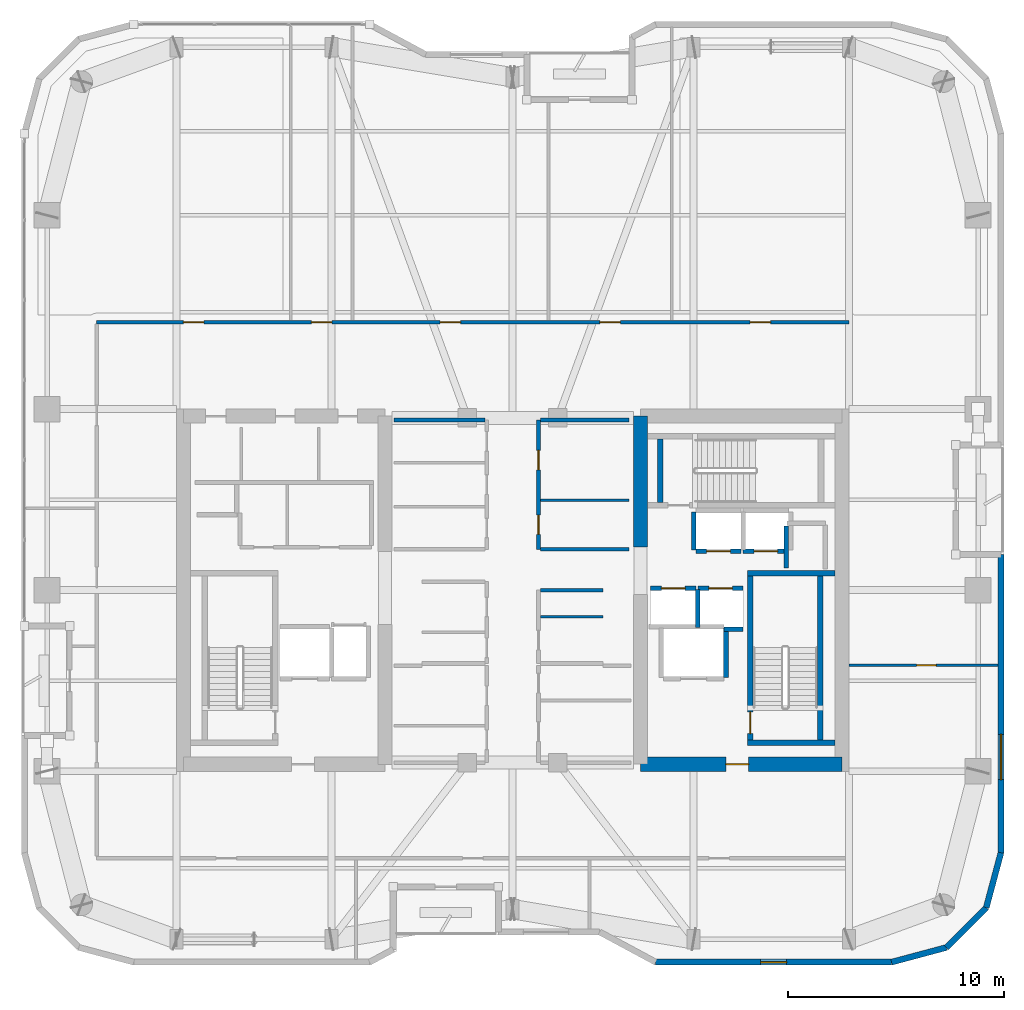
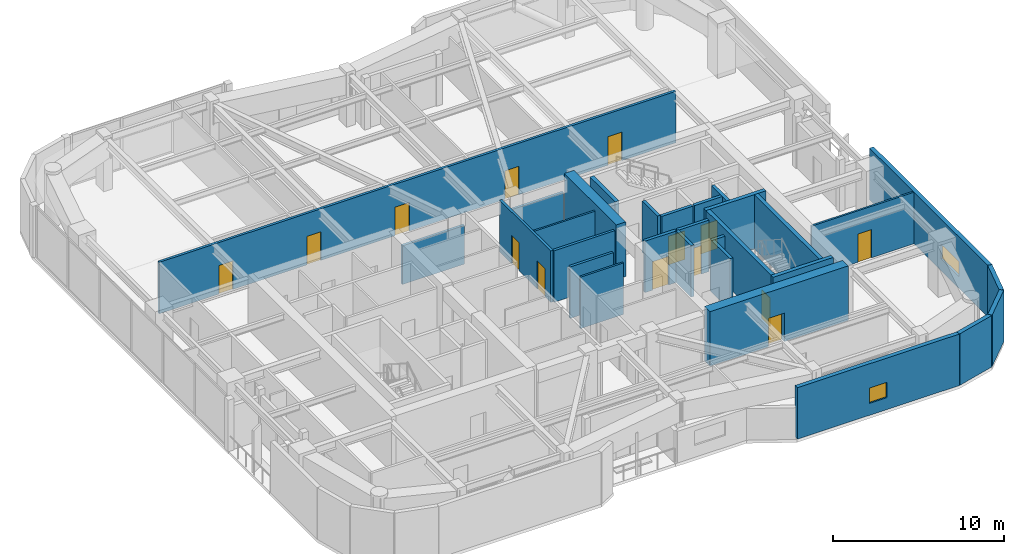
# One storey, part 17 of 21: 30 walls, 14 doors, 2 windows, 16 openings.
"""IFC4 building model written with IfcOpenShell, lengths in metres."""

from ifc_helpers import new_model, si_unit, direction, frame, frame_2d, origin, place, context, subcontext, project, spatial, rectangle, extrude, material, layer, layer_set, type_object, element, fill, save


model = new_model("IFC4")

# Units and contexts
model_context = context("Model", 3, precision=1e-05, world=origin(), true_north=direction((0.0, 1.0)))
body_context = subcontext(model_context, "Body", "Model", "MODEL_VIEW")
ifc_project = project(units=[si_unit("LENGTHUNIT", "METRE"), si_unit("AREAUNIT", "SQUARE_METRE"), si_unit("VOLUMEUNIT", "CUBIC_METRE"), si_unit("PLANEANGLEUNIT", "RADIAN"), si_unit("MASSUNIT", "GRAM", prefix="KILO")], contexts=[model_context])

# Site, building, storey
site_placement = place(None, origin())
site = spatial("IfcSite", under=ifc_project, at=site_placement, CompositionType="ELEMENT")
building_placement = place(site_placement, origin())
building = spatial("IfcBuilding", under=site, at=building_placement, Name="Kiyonajd Concourse Tower", CompositionType="ELEMENT")
storey_placement = place(building_placement, frame((0.0, 0.0, 223.199951171875)))
storey = spatial("IfcBuildingStorey", under=building, at=storey_placement, Name="L56", CompositionType="ELEMENT", Elevation=223.199951171875)

# Wall
ifc_material_1 = material(Name="Concrete C60/75", Category="concrete")
ifc_layer_1 = layer(ifc_material_1, 0.64990234375)
ifc_layer_set_1 = layer_set([ifc_layer_1], Name="Concrete C60/75")
wall_type_1 = type_object("IfcWallType", Name="WL-CORE-650", PredefinedType="SHEAR", material=ifc_layer_set_1)
wall_1_placement = place(storey_placement, frame((53.925048828125, 38.0, 0.0), z_axis=(0.0, 0.0, 1.0), x_axis=(0.0, 1.0, 0.0)))
element("IfcWall", 1, at=wall_1_placement, inside=storey, type_object=wall_type_1, Name="L56 East Core Inner North Shear Wall", PredefinedType="SHEAR", context=body_context, shape_type="SweptSolid", body=[
    extrude(rectangle(XDim=6.074951171875, YDim=0.64990234375, at=frame_2d((3.03759765625, 0.0))), origin(), (0.0, 0.0, 1.0), 3.900146484375),
])

# Wall, opening, door
wall_2_placement = place(storey_placement, frame((53.925048828125, 27.925048828125, 0.0), z_axis=(0.0, 0.0, 1.0), x_axis=(1.0, 0.0, 0.0)))
wall_2 = element("IfcWall", 2, at=wall_2_placement, inside=storey, type_object=wall_type_1, Name="L56 East Core South Shear Wall", PredefinedType="SHEAR", context=body_context, shape_type="SweptSolid", body=[
    extrude(rectangle(XDim=9.349853515625, YDim=0.64990234375, at=frame_2d((4.6748046875, 0.0))), origin(), (0.0, 0.0, 1.0), 3.900146484375),
])
opening_1_placement = place(wall_2_placement, frame((3.97509765625, 0.0, 0.0)))
opening_1 = element("IfcOpeningElement", 3, at=opening_1_placement, cuts=wall_2, Name="Opening DF5", PredefinedType="OPENING", context=body_context, shape_type="SweptSolid", body=[
    extrude(rectangle(XDim=1.050048828125, YDim=2.0400390625, at=frame_2d((0.52490234375, 1.02001953125))), frame((0.0, 0.3349609375, 0.0), z_axis=(0.0, -1.0, 0.0), x_axis=(1.0, 0.0, 0.0)), (0.0, 0.0, 1.0), 0.669921875),
])
ifc_material_2 = material(Name="Brushed Stainless Steel Cab Assembly", Category="steel")
door_type_1 = type_object("IfcDoorType", Name="DR-FD45-1050", OperationType="NOTDEFINED", PredefinedType="DOOR", material=ifc_material_2)
door_1_placement = place(opening_1_placement, origin())
door_1 = element("IfcDoor", 4, at=door_1_placement, inside=storey, type_object=door_type_1, Name="L56 Firefighting Lift Lobby E Smoke Door", OperationType="SINGLE_SWING_RIGHT", OverallHeight=2.0400390625, OverallWidth=1.050048828125, PredefinedType="DOOR", context=body_context, shape_type="SweptSolid", body=[
    extrude(rectangle(XDim=1.050048828125, YDim=2.0400390625, at=frame_2d((0.52490234375, 1.02001953125))), frame((0.0, 0.02490234375, 0.0), z_axis=(0.0, -1.0, 0.0), x_axis=(1.0, 0.0, 0.0)), (0.0, 0.0, 1.0), 0.050048828125),
])
fill(opening_1, door_1)

# Wall, opening, window
ifc_material_3 = material(Name="Precast concrete C50/60", Category="concrete")
ifc_layer_2 = layer(ifc_material_3, 0.280029296875)
ifc_layer_set_2 = layer_set([ifc_layer_2], Name="Precast concrete C50/60")
wall_type_2 = type_object("IfcWallType", Name="WL-EXT-280", PredefinedType="SOLIDWALL", material=ifc_layer_set_2)
wall_3_placement = place(storey_placement, frame((70.659912109375, 37.659912109375, 0.0), z_axis=(0.0, 0.0, 1.0), x_axis=(0.0, -1.0, 0.0)))
wall_3 = element("IfcWall", 5, at=wall_3_placement, inside=storey, type_object=wall_type_2, Name="L56 Exterior Concrete Frame Wall 24", PredefinedType="SOLIDWALL", context=body_context, shape_type="SweptSolid", body=[
    extrude(rectangle(XDim=13.841552734375, YDim=0.280029296875, at=frame_2d((6.9208984375, 0.0))), origin(), (0.0, 0.0, 1.0), 3.679931640625),
])
opening_2_placement = place(wall_3_placement, frame((8.345947265625, 0.0, 0.85009765625)))
opening_2 = element("IfcOpeningElement", 6, at=opening_2_placement, cuts=wall_3, Name="Opening WN5", PredefinedType="OPENING", context=body_context, shape_type="SweptSolid", body=[
    extrude(rectangle(XDim=2.10009765625, YDim=1.050048828125, at=frame_2d((1.050048828125, 0.52490234375))), frame((0.0, 0.14990234375, 0.0), z_axis=(0.0, -1.0, 0.0), x_axis=(1.0, 0.0, 0.0)), (0.0, 0.0, 1.0), 0.300048828125),
])
ifc_material_4 = material(Name="Double Low-E Insulated Glass", Category="glass")
window_type_1 = type_object("IfcWindowType", Name="WN-VIS-2100x1050", PartitioningType="SINGLE_PANEL", PredefinedType="WINDOW", material=ifc_material_4)
window_1_placement = place(opening_2_placement, origin())
window_1 = element("IfcWindow", 7, at=window_1_placement, inside=storey, type_object=window_type_1, Name="L56 Modular Facade Vision Window 24", OverallHeight=1.050048828125, OverallWidth=2.10009765625, PartitioningType="SINGLE_PANEL", PredefinedType="WINDOW", context=body_context, shape_type="SweptSolid", body=[
    extrude(rectangle(XDim=2.10009765625, YDim=1.050048828125, at=frame_2d((1.050048828125, 0.52490234375))), frame((0.0, 0.030029296875, 0.0), z_axis=(0.0, -1.0, 0.0), x_axis=(1.0, 0.0, 0.0)), (0.0, 0.0, 1.0), 0.06005859375),
])
fill(opening_2, window_1)

# Walls
wall_4_placement = place(storey_placement, frame((70.659912109375, 23.818359375, 0.0), z_axis=(0.0, 0.0, 1.0), x_axis=(-0.2588904131, -0.965906700466, 0.0)))
element("IfcWall", 8, at=wall_4_placement, inside=storey, type_object=wall_type_2, Name="L56 Exterior Concrete Frame Wall 25", PredefinedType="SOLIDWALL", context=body_context, shape_type="SweptSolid", body=[
    extrude(rectangle(XDim=2.6357421875, YDim=0.280029296875, at=frame_2d((1.31787109375, 0.0))), origin(), (0.0, 0.0, 1.0), 3.679931640625),
])
wall_5_placement = place(storey_placement, frame((69.9775390625, 21.2724609375, 0.0), z_axis=(0.0, 0.0, 1.0), x_axis=(-0.707153437963, -0.707060121331, 0.0)))
element("IfcWall", 9, at=wall_5_placement, inside=storey, type_object=wall_type_2, Name="L56 Exterior Concrete Frame Wall 26", PredefinedType="SOLIDWALL", context=body_context, shape_type="SweptSolid", body=[
    extrude(rectangle(XDim=2.6162109375, YDim=0.280029296875, at=frame_2d((1.30810546875, 0.0))), origin(), (0.0, 0.0, 1.0), 3.679931640625),
])
wall_6_placement = place(storey_placement, frame((68.12744140625, 19.422607421875, 0.0), z_axis=(0.0, 0.0, 1.0), x_axis=(-0.965883534663, -0.258976828051, 0.0)))
element("IfcWall", 10, at=wall_6_placement, inside=storey, type_object=wall_type_2, Name="L56 Exterior Concrete Frame Wall 27", PredefinedType="SOLIDWALL", context=body_context, shape_type="SweptSolid", body=[
    extrude(rectangle(XDim=2.6357421875, YDim=0.280029296875, at=frame_2d((1.31787109375, 0.0))), origin(), (0.0, 0.0, 1.0), 3.679931640625),
])

# Wall, opening, window
wall_7_placement = place(storey_placement, frame((65.58154296875, 18.739990234375, 0.0), z_axis=(0.0, 0.0, 1.0), x_axis=(-1.0, 0.0, 0.0)))
wall_7 = element("IfcWall", 11, at=wall_7_placement, inside=storey, type_object=wall_type_2, Name="L56 Exterior Concrete Frame Wall 28", PredefinedType="SOLIDWALL", context=body_context, shape_type="SweptSolid", body=[
    extrude(rectangle(XDim=10.9462890625, YDim=0.280029296875, at=frame_2d((5.47314453125, 0.0))), origin(), (0.0, 0.0, 1.0), 3.679931640625),
])
opening_3_placement = place(wall_7_placement, frame((4.873046875, 0.0, 0.85009765625)))
opening_3 = element("IfcOpeningElement", 12, at=opening_3_placement, cuts=wall_7, Name="Opening WN3", PredefinedType="OPENING", context=body_context, shape_type="SweptSolid", body=[
    extrude(rectangle(XDim=1.199951171875, YDim=1.10009765625, at=frame_2d((0.60009765625, 0.550048828125))), frame((0.0, 0.14990234375, 0.0), z_axis=(0.0, -1.0, 0.0), x_axis=(1.0, 0.0, 0.0)), (0.0, 0.0, 1.0), 0.300048828125),
])
window_type_2 = type_object("IfcWindowType", Name="WN-VIS-1200x1100", PartitioningType="SINGLE_PANEL", PredefinedType="WINDOW", material=ifc_material_4)
window_2_placement = place(opening_3_placement, origin())
window_2 = element("IfcWindow", 13, at=window_2_placement, inside=storey, type_object=window_type_2, Name="L56 Modular Facade Vision Window 28", OverallHeight=1.10009765625, OverallWidth=1.199951171875, PartitioningType="SINGLE_PANEL", PredefinedType="WINDOW", context=body_context, shape_type="SweptSolid", body=[
    extrude(rectangle(XDim=1.199951171875, YDim=1.10009765625, at=frame_2d((0.60009765625, 0.550048828125))), frame((0.0, 0.030029296875, 0.0), z_axis=(0.0, -1.0, 0.0), x_axis=(1.0, 0.0, 0.0)), (0.0, 0.0, 1.0), 0.06005859375),
])
fill(opening_3, window_2)

# Walls
ifc_material_5 = material(Name="Gypsum Board on Cold-Formed Steel Stud", Category="steel")
ifc_layer_3 = layer(ifc_material_5, 0.125)
ifc_layer_set_3 = layer_set([ifc_layer_3], Name="Gypsum Board on Cold-Formed Steel Stud")
wall_type_3 = type_object("IfcWallType", Name="WL-PART-125", PredefinedType="PARTITIONING", material=ifc_layer_set_3)
wall_8_placement = place(storey_placement, frame((49.287109375, 34.77587890625, 0.0), z_axis=(0.0, 0.0, 1.0), x_axis=(1.0, 0.0, 0.0)))
element("IfcWall", 14, at=wall_8_placement, inside=storey, type_object=wall_type_3, Name="L56 Interior Partition Wall", PredefinedType="PARTITIONING", context=body_context, shape_type="SweptSolid", body=[
    extrude(rectangle(XDim=2.912841796875, YDim=0.125, at=frame_2d((1.45654296875, 0.0))), origin(), (0.0, 0.0, 1.0), 3.679931640625),
])
wall_9_placement = place(storey_placement, frame((49.287109375, 40.179931640625, 0.0), z_axis=(0.0, 0.0, 1.0), x_axis=(1.0, 0.0, 0.0)))
element("IfcWall", 15, at=wall_9_placement, inside=storey, type_object=wall_type_3, Name="L56 Interior Partition Wall", PredefinedType="PARTITIONING", context=body_context, shape_type="SweptSolid", body=[
    extrude(rectangle(XDim=4.11279296875, YDim=0.125, at=frame_2d((2.056396484375, 0.0))), origin(), (0.0, 0.0, 1.0), 3.679931640625),
])

# Wall, opening, door
wall_10_placement = place(storey_placement, frame((63.60009765625, 32.52001953125, 0.0), z_axis=(0.0, 0.0, 1.0), x_axis=(1.0, 0.0, 0.0)))
wall_10 = element("IfcWall", 16, at=wall_10_placement, inside=storey, type_object=wall_type_3, Name="L56 Interior Partition Wall", PredefinedType="PARTITIONING", context=body_context, shape_type="SweptSolid", body=[
    extrude(rectangle(XDim=6.9248046875, YDim=0.125, at=frame_2d((3.46240234375, 0.0))), origin(), (0.0, 0.0, 1.0), 3.679931640625),
])
opening_4_placement = place(wall_10_placement, frame((3.14990234375, 0.0, 0.0)))
opening_4 = element("IfcOpeningElement", 17, at=opening_4_placement, cuts=wall_10, Name="Opening DI2", PredefinedType="OPENING", context=body_context, shape_type="SweptSolid", body=[
    extrude(rectangle(XDim=0.89990234375, YDim=2.02001953125, at=frame_2d((0.449951171875, 1.010009765625))), frame((0.0, 0.072509765625, 0.0), z_axis=(0.0, -1.0, 0.0), x_axis=(1.0, 0.0, 0.0)), (0.0, 0.0, 1.0), 0.14501953125),
])
ifc_material_6 = material(Name="Natural Oak Acoustic Timber Veneer", Category="wood")
door_type_2 = type_object("IfcDoorType", Name="DR-INT-900", OperationType="NOTDEFINED", PredefinedType="DOOR", material=ifc_material_6)
door_2_placement = place(opening_4_placement, origin())
door_2 = element("IfcDoor", 18, at=door_2_placement, inside=storey, type_object=door_type_2, Name="L56 Interior Door", OperationType="SINGLE_SWING_LEFT", OverallHeight=2.02001953125, OverallWidth=0.89990234375, PredefinedType="DOOR", context=body_context, shape_type="SweptSolid", body=[
    extrude(rectangle(XDim=0.89990234375, YDim=2.02001953125, at=frame_2d((0.449951171875, 1.010009765625))), frame((0.0, 0.02490234375, 0.0), z_axis=(0.0, -1.0, 0.0), x_axis=(1.0, 0.0, 0.0)), (0.0, 0.0, 1.0), 0.050048828125),
])
fill(opening_4, door_2)

# Walls
ifc_layer_4 = layer(ifc_material_5, 0.2099609375)
ifc_layer_set_4 = layer_set([ifc_layer_4], Name="Gypsum Board on Cold-Formed Steel Stud")
wall_type_4 = type_object("IfcWallType", Name="WL-SHAFT-210", PredefinedType="PARTITIONING", material=ifc_layer_set_4)
wall_11_placement = place(storey_placement, frame((60.699951171875, 37.02001953125, 0.0), z_axis=(0.0, 0.0, 1.0), x_axis=(0.0, 1.0, 0.0)))
element("IfcWall", 19, at=wall_11_placement, inside=storey, type_object=wall_type_4, Name="L56 Shaft Enclosure Wall", PredefinedType="PARTITIONING", context=body_context, shape_type="SweptSolid", body=[
    extrude(rectangle(XDim=1.9599609375, YDim=0.2099609375, at=frame_2d((0.97998046875, 0.0))), origin(), (0.0, 0.0, 1.0), 3.679931640625),
])
wall_12_placement = place(storey_placement, frame((57.89990234375, 31.9599609375, 0.0), z_axis=(0.0, 0.0, 1.0), x_axis=(0.0, 1.0, 0.0)))
element("IfcWall", 20, at=wall_12_placement, inside=storey, type_object=wall_type_4, Name="L56 Shaft Enclosure Wall", PredefinedType="PARTITIONING", context=body_context, shape_type="SweptSolid", body=[
    extrude(rectangle(XDim=2.280029296875, YDim=0.2099609375, at=frame_2d((1.14013671875, 0.0))), origin(), (0.0, 0.0, 1.0), 3.679931640625),
])

# Wall, opening, door
wall_13_placement = place(storey_placement, frame((54.39990234375, 36.10009765625, 0.0), z_axis=(0.0, 0.0, 1.0), x_axis=(1.0, 0.0, 0.0)))
wall_13 = element("IfcWall", 21, at=wall_13_placement, inside=storey, type_object=wall_type_4, Name="L56 Shaft Enclosure Wall", PredefinedType="PARTITIONING", context=body_context, shape_type="SweptSolid", body=[
    extrude(rectangle(XDim=2.10009765625, YDim=0.2099609375, at=frame_2d((1.050048828125, 0.0))), origin(), (0.0, 0.0, 1.0), 3.679931640625),
])
opening_5_placement = place(wall_13_placement, frame((0.5, 0.0, 0.0)))
opening_5 = element("IfcOpeningElement", 22, at=opening_5_placement, cuts=wall_13, Name="Opening LD1", PredefinedType="OPENING", context=body_context, shape_type="SweptSolid", body=[
    extrude(rectangle(XDim=1.10009765625, YDim=2.0400390625, at=frame_2d((0.550048828125, 1.02001953125))), frame((0.0, 0.114990234375, 0.0), z_axis=(0.0, -1.0, 0.0), x_axis=(1.0, 0.0, 0.0)), (0.0, 0.0, 1.0), 0.22998046875),
])
door_type_3 = type_object("IfcDoorType", Name="DR-LD-1100", OperationType="DOUBLE_DOOR_SLIDING", PredefinedType="DOOR", material=ifc_material_2)
door_3_placement = place(opening_5_placement, origin())
door_3 = element("IfcDoor", 23, at=door_3_placement, inside=storey, type_object=door_type_3, Name="L56 Lift PL-H1 Sliding Landing Door", OperationType="DOUBLE_DOOR_SLIDING", OverallHeight=2.0400390625, OverallWidth=1.10009765625, PredefinedType="DOOR", context=body_context, shape_type="SweptSolid", body=[
    extrude(rectangle(XDim=1.10009765625, YDim=2.0400390625, at=frame_2d((0.550048828125, 1.02001953125))), frame((0.0, 0.02490234375, 0.0), z_axis=(0.0, -1.0, 0.0), x_axis=(1.0, 0.0, 0.0)), (0.0, 0.0, 1.0), 0.050048828125),
])
fill(opening_5, door_3)

# Wall
wall_14_placement = place(storey_placement, frame((56.60009765625, 34.260009765625, 0.0), z_axis=(0.0, 0.0, 1.0), x_axis=(0.0, 1.0, 0.0)))
element("IfcWall", 24, at=wall_14_placement, inside=storey, type_object=wall_type_4, Name="L56 Shaft Enclosure Wall", PredefinedType="PARTITIONING", context=body_context, shape_type="SweptSolid", body=[
    extrude(rectangle(XDim=1.780029296875, YDim=0.2099609375, at=frame_2d((0.89013671875, 0.0))), origin(), (0.0, 0.0, 1.0), 3.679931640625),
])

# Wall, opening, door
wall_15_placement = place(storey_placement, frame((56.60009765625, 36.10009765625, 0.0), z_axis=(0.0, 0.0, 1.0), x_axis=(1.0, 0.0, 0.0)))
wall_15 = element("IfcWall", 25, at=wall_15_placement, inside=storey, type_object=wall_type_4, Name="L56 Shaft Enclosure Wall", PredefinedType="PARTITIONING", context=body_context, shape_type="SweptSolid", body=[
    extrude(rectangle(XDim=2.099853515625, YDim=0.2099609375, at=frame_2d((1.0498046875, 0.0))), origin(), (0.0, 0.0, 1.0), 3.679931640625),
])
opening_6_placement = place(wall_15_placement, frame((0.5, 0.0, 0.0)))
opening_6 = element("IfcOpeningElement", 26, at=opening_6_placement, cuts=wall_15, Name="Opening LD1", PredefinedType="OPENING", context=body_context, shape_type="SweptSolid", body=[
    extrude(rectangle(XDim=1.10009765625, YDim=2.0400390625, at=frame_2d((0.550048828125, 1.02001953125))), frame((0.0, 0.114990234375, 0.0), z_axis=(0.0, -1.0, 0.0), x_axis=(1.0, 0.0, 0.0)), (0.0, 0.0, 1.0), 0.22998046875),
])
door_4_placement = place(opening_6_placement, origin())
door_4 = element("IfcDoor", 27, at=door_4_placement, inside=storey, type_object=door_type_3, Name="L56 Lift PL-H2 Sliding Landing Door", OperationType="DOUBLE_DOOR_SLIDING", OverallHeight=2.0400390625, OverallWidth=1.10009765625, PredefinedType="DOOR", context=body_context, shape_type="SweptSolid", body=[
    extrude(rectangle(XDim=1.10009765625, YDim=2.0400390625, at=frame_2d((0.550048828125, 1.02001953125))), frame((0.0, 0.02490234375, 0.0), z_axis=(0.0, -1.0, 0.0), x_axis=(1.0, 0.0, 0.0)), (0.0, 0.0, 1.0), 0.050048828125),
])
fill(opening_6, door_4)

# Wall
wall_16_placement = place(storey_placement, frame((57.800048828125, 34.199951171875, 0.0), z_axis=(0.0, 0.0, 1.0), x_axis=(1.0, 0.0, 0.0)))
element("IfcWall", 28, at=wall_16_placement, inside=storey, type_object=wall_type_4, Name="L56 Shaft Enclosure Wall", PredefinedType="PARTITIONING", context=body_context, shape_type="SweptSolid", body=[
    extrude(rectangle(XDim=0.89990234375, YDim=0.2099609375, at=frame_2d((0.449951171875, 0.0))), origin(), (0.0, 0.0, 1.0), 3.679931640625),
])

# Wall, opening, door
wall_17_placement = place(storey_placement, frame((56.5, 37.800048828125, 0.0), z_axis=(0.0, 0.0, 1.0), x_axis=(1.0, 0.0, 0.0)))
wall_17 = element("IfcWall", 29, at=wall_17_placement, inside=storey, type_object=wall_type_4, Name="L56 Shaft Enclosure Wall", PredefinedType="PARTITIONING", context=body_context, shape_type="SweptSolid", body=[
    extrude(rectangle(XDim=2.10009765625, YDim=0.2099609375, at=frame_2d((1.050048828125, 0.0))), origin(), (0.0, 0.0, 1.0), 3.679931640625),
])
opening_7_placement = place(wall_17_placement, frame((0.5, 0.0, 0.0)))
opening_7 = element("IfcOpeningElement", 30, at=opening_7_placement, cuts=wall_17, Name="Opening LD1", PredefinedType="OPENING", context=body_context, shape_type="SweptSolid", body=[
    extrude(rectangle(XDim=1.10009765625, YDim=2.0400390625, at=frame_2d((0.550048828125, 1.02001953125))), frame((0.0, 0.114990234375, 0.0), z_axis=(0.0, -1.0, 0.0), x_axis=(1.0, 0.0, 0.0)), (0.0, 0.0, 1.0), 0.22998046875),
])
door_5_placement = place(opening_7_placement, origin())
door_5 = element("IfcDoor", 31, at=door_5_placement, inside=storey, type_object=door_type_3, Name="L56 Lift PL-H3 Sliding Landing Door", OperationType="DOUBLE_DOOR_SLIDING", OverallHeight=2.0400390625, OverallWidth=1.10009765625, PredefinedType="DOOR", context=body_context, shape_type="SweptSolid", body=[
    extrude(rectangle(XDim=1.10009765625, YDim=2.0400390625, at=frame_2d((0.550048828125, 1.02001953125))), frame((0.0, 0.02490234375, 0.0), z_axis=(0.0, -1.0, 0.0), x_axis=(1.0, 0.0, 0.0)), (0.0, 0.0, 1.0), 0.050048828125),
])
fill(opening_7, door_5)

# Wall
wall_18_placement = place(storey_placement, frame((56.39990234375, 37.860107421875, 0.0), z_axis=(0.0, 0.0, 1.0), x_axis=(0.0, 1.0, 0.0)))
element("IfcWall", 32, at=wall_18_placement, inside=storey, type_object=wall_type_4, Name="L56 Shaft Enclosure Wall", PredefinedType="PARTITIONING", context=body_context, shape_type="SweptSolid", body=[
    extrude(rectangle(XDim=1.77978515625, YDim=0.2099609375, at=frame_2d((0.889892578125, 0.0))), origin(), (0.0, 0.0, 1.0), 3.679931640625),
])

# Wall, opening, door
wall_19_placement = place(storey_placement, frame((58.699951171875, 37.800048828125, 0.0), z_axis=(0.0, 0.0, 1.0), x_axis=(1.0, 0.0, 0.0)))
wall_19 = element("IfcWall", 33, at=wall_19_placement, inside=storey, type_object=wall_type_4, Name="L56 Shaft Enclosure Wall", PredefinedType="PARTITIONING", context=body_context, shape_type="SweptSolid", body=[
    extrude(rectangle(XDim=2.10009765625, YDim=0.2099609375, at=frame_2d((1.050048828125, 0.0))), origin(), (0.0, 0.0, 1.0), 3.679931640625),
])
opening_8_placement = place(wall_19_placement, frame((0.5, 0.0, 0.0)))
opening_8 = element("IfcOpeningElement", 34, at=opening_8_placement, cuts=wall_19, Name="Opening LD1", PredefinedType="OPENING", context=body_context, shape_type="SweptSolid", body=[
    extrude(rectangle(XDim=1.10009765625, YDim=2.0400390625, at=frame_2d((0.550048828125, 1.02001953125))), frame((0.0, 0.114990234375, 0.0), z_axis=(0.0, -1.0, 0.0), x_axis=(1.0, 0.0, 0.0)), (0.0, 0.0, 1.0), 0.22998046875),
])
door_6_placement = place(opening_8_placement, origin())
door_6 = element("IfcDoor", 35, at=door_6_placement, inside=storey, type_object=door_type_3, Name="L56 Lift PL-H4 Sliding Landing Door", OperationType="DOUBLE_DOOR_SLIDING", OverallHeight=2.0400390625, OverallWidth=1.10009765625, PredefinedType="DOOR", context=body_context, shape_type="SweptSolid", body=[
    extrude(rectangle(XDim=1.10009765625, YDim=2.0400390625, at=frame_2d((0.550048828125, 1.02001953125))), frame((0.0, 0.02490234375, 0.0), z_axis=(0.0, -1.0, 0.0), x_axis=(1.0, 0.0, 0.0)), (0.0, 0.0, 1.0), 0.050048828125),
])
fill(opening_8, door_6)

# Walls
ifc_layer_5 = layer(ifc_material_5, 0.169921875)
ifc_layer_set_5 = layer_set([ifc_layer_5], Name="Gypsum Board on Cold-Formed Steel Stud")
wall_type_5 = type_object("IfcWallType", Name="WL-SMK-170", PredefinedType="PARTITIONING", material=ifc_layer_set_5)
wall_20_placement = place(storey_placement, frame((49.287109375, 36.0, 0.0), z_axis=(0.0, 0.0, 1.0), x_axis=(1.0, 0.0, 0.0)))
element("IfcWall", 36, at=wall_20_placement, inside=storey, type_object=wall_type_5, Name="L56 Interior Partition Wall", PredefinedType="PARTITIONING", context=body_context, shape_type="SweptSolid", body=[
    extrude(rectangle(XDim=2.912841796875, YDim=0.169921875, at=frame_2d((1.45654296875, 0.0))), origin(), (0.0, 0.0, 1.0), 3.679931640625),
])
wall_21_placement = place(storey_placement, frame((42.5, 43.89990234375, 0.0), z_axis=(0.0, 0.0, 1.0), x_axis=(1.0, 0.0, 0.0)))
element("IfcWall", 37, at=wall_21_placement, inside=storey, type_object=wall_type_5, Name="L56 Interior Partition Wall", PredefinedType="PARTITIONING", context=body_context, shape_type="SweptSolid", body=[
    extrude(rectangle(XDim=4.212890625, YDim=0.169921875, at=frame_2d((2.1064453125, 0.0))), origin(), (0.0, 0.0, 1.0), 2.76513671875),
])

# Wall, openings, doors
wall_22_placement = place(storey_placement, frame((49.199951171875, 37.89990234375, 0.0), z_axis=(0.0, 0.0, 1.0), x_axis=(0.0, 1.0, 0.0)))
wall_22 = element("IfcWall", 38, at=wall_22_placement, inside=storey, type_object=wall_type_5, Name="L56 Interior Partition Wall", PredefinedType="PARTITIONING", context=body_context, shape_type="SweptSolid", body=[
    extrude(rectangle(XDim=6.0, YDim=0.169921875, at=frame_2d((3.0, 0.0))), origin(), (0.0, 0.0, 1.0), 3.679931640625),
])
opening_9_placement = place(wall_22_placement, frame((0.68994140625, 0.0, 0.0)))
opening_9 = element("IfcOpeningElement", 39, at=opening_9_placement, cuts=wall_22, Name="Opening DI2", PredefinedType="OPENING", context=body_context, shape_type="SweptSolid", body=[
    extrude(rectangle(XDim=0.89990234375, YDim=2.02001953125, at=frame_2d((0.449951171875, 1.010009765625))), frame((0.0, 0.094970703125, 0.0), z_axis=(0.0, -1.0, 0.0), x_axis=(1.0, 0.0, 0.0)), (0.0, 0.0, 1.0), 0.18994140625),
])
opening_10_placement = place(wall_22_placement, frame((3.68994140625, 0.0, 0.0)))
opening_10 = element("IfcOpeningElement", 40, at=opening_10_placement, cuts=wall_22, Name="Opening DI2", PredefinedType="OPENING", context=body_context, shape_type="SweptSolid", body=[
    extrude(rectangle(XDim=0.89990234375, YDim=2.02001953125, at=frame_2d((0.449951171875, 1.010009765625))), frame((0.0, 0.094970703125, 0.0), z_axis=(0.0, -1.0, 0.0), x_axis=(1.0, 0.0, 0.0)), (0.0, 0.0, 1.0), 0.18994140625),
])
door_7_placement = place(opening_9_placement, origin())
door_7 = element("IfcDoor", 41, at=door_7_placement, inside=storey, type_object=door_type_2, Name="L56 Interior Door", OperationType="SINGLE_SWING_RIGHT", OverallHeight=2.02001953125, OverallWidth=0.89990234375, PredefinedType="DOOR", context=body_context, shape_type="SweptSolid", body=[
    extrude(rectangle(XDim=0.89990234375, YDim=2.02001953125, at=frame_2d((0.449951171875, 1.010009765625))), frame((0.0, 0.02490234375, 0.0), z_axis=(0.0, -1.0, 0.0), x_axis=(1.0, 0.0, 0.0)), (0.0, 0.0, 1.0), 0.050048828125),
])
fill(opening_9, door_7)
door_8_placement = place(opening_10_placement, origin())
door_8 = element("IfcDoor", 42, at=door_8_placement, inside=storey, type_object=door_type_2, Name="L56 Interior Door", OperationType="SINGLE_SWING_LEFT", OverallHeight=2.02001953125, OverallWidth=0.89990234375, PredefinedType="DOOR", context=body_context, shape_type="SweptSolid", body=[
    extrude(rectangle(XDim=0.89990234375, YDim=2.02001953125, at=frame_2d((0.449951171875, 1.010009765625))), frame((0.0, 0.02490234375, 0.0), z_axis=(0.0, -1.0, 0.0), x_axis=(1.0, 0.0, 0.0)), (0.0, 0.0, 1.0), 0.050048828125),
])
fill(opening_10, door_8)

# Walls
wall_23_placement = place(storey_placement, frame((49.287109375, 37.89990234375, 0.0), z_axis=(0.0, 0.0, 1.0), x_axis=(1.0, 0.0, 0.0)))
element("IfcWall", 43, at=wall_23_placement, inside=storey, type_object=wall_type_5, Name="L56 Interior Partition Wall", PredefinedType="PARTITIONING", context=body_context, shape_type="SweptSolid", body=[
    extrude(rectangle(XDim=4.11279296875, YDim=0.169921875, at=frame_2d((2.056396484375, 0.0))), origin(), (0.0, 0.0, 1.0), 3.679931640625),
])
wall_24_placement = place(storey_placement, frame((49.287109375, 43.89990234375, 0.0), z_axis=(0.0, 0.0, 1.0), x_axis=(1.0, 0.0, 0.0)))
element("IfcWall", 44, at=wall_24_placement, inside=storey, type_object=wall_type_5, Name="L56 Interior Partition Wall", PredefinedType="PARTITIONING", context=body_context, shape_type="SweptSolid", body=[
    extrude(rectangle(XDim=4.11279296875, YDim=0.169921875, at=frame_2d((2.056396484375, 0.0))), origin(), (0.0, 0.0, 1.0), 2.76513671875),
])

# Wall, openings, doors
wall_25_placement = place(storey_placement, frame((28.699951171875, 48.429931640625, 0.0), z_axis=(0.0, 0.0, 1.0), x_axis=(1.0, 0.0, 0.0)))
wall_25 = element("IfcWall", 45, at=wall_25_placement, inside=storey, type_object=wall_type_5, Name="L56 Interior Partition Wall", PredefinedType="PARTITIONING", context=body_context, shape_type="SweptSolid", body=[
    extrude(rectangle(XDim=34.900146484375, YDim=0.169921875, at=frame_2d((17.4501953125, 0.0))), origin(), (0.0, 0.0, 1.0), 3.679931640625),
])
opening_11_placement = place(wall_25_placement, frame((4.02490234375, 0.0, 0.0)))
opening_11 = element("IfcOpeningElement", 46, at=opening_11_placement, cuts=wall_25, Name="Opening DI1", PredefinedType="OPENING", context=body_context, shape_type="SweptSolid", body=[
    extrude(rectangle(XDim=0.949951171875, YDim=2.0400390625, at=frame_2d((0.47509765625, 1.02001953125))), frame((0.0, 0.094970703125, 0.0), z_axis=(0.0, -1.0, 0.0), x_axis=(1.0, 0.0, 0.0)), (0.0, 0.0, 1.0), 0.18994140625),
])
opening_12_placement = place(wall_25_placement, frame((9.9599609375, 0.0, 0.0)))
opening_12 = element("IfcOpeningElement", 47, at=opening_12_placement, cuts=wall_25, Name="Opening DI1", PredefinedType="OPENING", context=body_context, shape_type="SweptSolid", body=[
    extrude(rectangle(XDim=0.949951171875, YDim=2.0400390625, at=frame_2d((0.47509765625, 1.02001953125))), frame((0.0, 0.094970703125, 0.0), z_axis=(0.0, -1.0, 0.0), x_axis=(1.0, 0.0, 0.0)), (0.0, 0.0, 1.0), 0.18994140625),
])
opening_13_placement = place(wall_25_placement, frame((15.93994140625, 0.0, 0.0)))
opening_13 = element("IfcOpeningElement", 48, at=opening_13_placement, cuts=wall_25, Name="Opening DI1", PredefinedType="OPENING", context=body_context, shape_type="SweptSolid", body=[
    extrude(rectangle(XDim=0.949951171875, YDim=2.0400390625, at=frame_2d((0.47509765625, 1.02001953125))), frame((0.0, 0.094970703125, 0.0), z_axis=(0.0, -1.0, 0.0), x_axis=(1.0, 0.0, 0.0)), (0.0, 0.0, 1.0), 0.18994140625),
])
opening_14_placement = place(wall_25_placement, frame((23.35009765625, 0.0, 0.0)))
opening_14 = element("IfcOpeningElement", 49, at=opening_14_placement, cuts=wall_25, Name="Opening DI1", PredefinedType="OPENING", context=body_context, shape_type="SweptSolid", body=[
    extrude(rectangle(XDim=0.949951171875, YDim=2.0400390625, at=frame_2d((0.47509765625, 1.02001953125))), frame((0.0, 0.094970703125, 0.0), z_axis=(0.0, -1.0, 0.0), x_axis=(1.0, 0.0, 0.0)), (0.0, 0.0, 1.0), 0.18994140625),
])
opening_15_placement = place(wall_25_placement, frame((30.320068359375, 0.0, 0.0)))
opening_15 = element("IfcOpeningElement", 50, at=opening_15_placement, cuts=wall_25, Name="Opening DI1", PredefinedType="OPENING", context=body_context, shape_type="SweptSolid", body=[
    extrude(rectangle(XDim=0.949951171875, YDim=2.0400390625, at=frame_2d((0.47509765625, 1.02001953125))), frame((0.0, 0.094970703125, 0.0), z_axis=(0.0, -1.0, 0.0), x_axis=(1.0, 0.0, 0.0)), (0.0, 0.0, 1.0), 0.18994140625),
])
door_type_4 = type_object("IfcDoorType", Name="DR-INT-950", OperationType="NOTDEFINED", PredefinedType="DOOR", material=ifc_material_6)
door_9_placement = place(opening_11_placement, origin())
door_9 = element("IfcDoor", 51, at=door_9_placement, inside=storey, type_object=door_type_4, Name="L56 Interior Door", OperationType="SINGLE_SWING_LEFT", OverallHeight=2.0400390625, OverallWidth=0.949951171875, PredefinedType="DOOR", context=body_context, shape_type="SweptSolid", body=[
    extrude(rectangle(XDim=0.949951171875, YDim=2.0400390625, at=frame_2d((0.47509765625, 1.02001953125))), frame((0.0, 0.02490234375, 0.0), z_axis=(0.0, -1.0, 0.0), x_axis=(1.0, 0.0, 0.0)), (0.0, 0.0, 1.0), 0.050048828125),
])
fill(opening_11, door_9)
door_10_placement = place(opening_12_placement, origin())
door_10 = element("IfcDoor", 52, at=door_10_placement, inside=storey, type_object=door_type_4, Name="L56 Interior Door", OperationType="SINGLE_SWING_RIGHT", OverallHeight=2.0400390625, OverallWidth=0.949951171875, PredefinedType="DOOR", context=body_context, shape_type="SweptSolid", body=[
    extrude(rectangle(XDim=0.949951171875, YDim=2.0400390625, at=frame_2d((0.47509765625, 1.02001953125))), frame((0.0, 0.02490234375, 0.0), z_axis=(0.0, -1.0, 0.0), x_axis=(1.0, 0.0, 0.0)), (0.0, 0.0, 1.0), 0.050048828125),
])
fill(opening_12, door_10)
door_11_placement = place(opening_13_placement, origin())
door_11 = element("IfcDoor", 53, at=door_11_placement, inside=storey, type_object=door_type_4, Name="L56 Interior Door", OperationType="SINGLE_SWING_LEFT", OverallHeight=2.0400390625, OverallWidth=0.949951171875, PredefinedType="DOOR", context=body_context, shape_type="SweptSolid", body=[
    extrude(rectangle(XDim=0.949951171875, YDim=2.0400390625, at=frame_2d((0.47509765625, 1.02001953125))), frame((0.0, 0.02490234375, 0.0), z_axis=(0.0, -1.0, 0.0), x_axis=(1.0, 0.0, 0.0)), (0.0, 0.0, 1.0), 0.050048828125),
])
fill(opening_13, door_11)
door_12_placement = place(opening_14_placement, origin())
door_12 = element("IfcDoor", 54, at=door_12_placement, inside=storey, type_object=door_type_4, Name="L56 Interior Door", OperationType="SINGLE_SWING_RIGHT", OverallHeight=2.0400390625, OverallWidth=0.949951171875, PredefinedType="DOOR", context=body_context, shape_type="SweptSolid", body=[
    extrude(rectangle(XDim=0.949951171875, YDim=2.0400390625, at=frame_2d((0.47509765625, 1.02001953125))), frame((0.0, 0.02490234375, 0.0), z_axis=(0.0, -1.0, 0.0), x_axis=(1.0, 0.0, 0.0)), (0.0, 0.0, 1.0), 0.050048828125),
])
fill(opening_14, door_12)
door_13_placement = place(opening_15_placement, origin())
door_13 = element("IfcDoor", 55, at=door_13_placement, inside=storey, type_object=door_type_4, Name="L56 Interior Door", OperationType="SINGLE_SWING_LEFT", OverallHeight=2.0400390625, OverallWidth=0.949951171875, PredefinedType="DOOR", context=body_context, shape_type="SweptSolid", body=[
    extrude(rectangle(XDim=0.949951171875, YDim=2.0400390625, at=frame_2d((0.47509765625, 1.02001953125))), frame((0.0, 0.02490234375, 0.0), z_axis=(0.0, -1.0, 0.0), x_axis=(1.0, 0.0, 0.0)), (0.0, 0.0, 1.0), 0.050048828125),
])
fill(opening_15, door_13)

# Walls
ifc_material_7 = material(Name="Concrete C50/60", Category="concrete")
ifc_layer_6 = layer(ifc_material_7, 0.260009765625)
ifc_layer_set_6 = layer_set([ifc_layer_6], Name="Concrete C50/60")
wall_type_6 = type_object("IfcWallType", Name="WL-STAIR-260", PredefinedType="SHEAR", material=ifc_layer_set_6)
for number, where, z_axis, x_axis, name in (
    (56, (58.889892578125, 28.919921875, 0.0), (0.0, 0.0, 1.0), (1.0, 0.0, 0.0), "L56 Stair ST2 Structural South Wall"),
    (57, (58.889892578125, 36.780029296875, 0.0), (0.0, 0.0, 1.0), (1.0, 0.0, 0.0), "L56 Stair ST2 Structural North Wall"),
):
    element("IfcWall", number, at=place(storey_placement, frame(where, z_axis=z_axis, x_axis=x_axis)), inside=storey, type_object=wall_type_6, Name=name, PredefinedType="SHEAR", context=body_context, shape_type="SweptSolid", body=[
        extrude(rectangle(XDim=4.06005859375, YDim=0.260009765625, at=frame_2d((2.030029296875, 0.0))), origin(), (0.0, 0.0, 1.0), 3.900146484375),
    ])

# Wall, opening, door
wall_26_placement = place(storey_placement, frame((59.02001953125, 29.050048828125, 0.0), z_axis=(0.0, 0.0, 1.0), x_axis=(0.0, 1.0, 0.0)))
wall_26 = element("IfcWall", 58, at=wall_26_placement, inside=storey, type_object=wall_type_6, Name="L56 Stair ST2 Structural West Wall", PredefinedType="SHEAR", context=body_context, shape_type="SweptSolid", body=[
    extrude(rectangle(XDim=7.599853515625, YDim=0.260009765625, at=frame_2d((3.7998046875, 0.0))), origin(), (0.0, 0.0, 1.0), 3.900146484375),
])
opening_16_placement = place(wall_26_placement, frame((0.300048828125, 0.0, 0.0)))
opening_16 = element("IfcOpeningElement", 59, at=opening_16_placement, cuts=wall_26, Name="Opening DF1", PredefinedType="OPENING", context=body_context, shape_type="SweptSolid", body=[
    extrude(rectangle(XDim=1.0, YDim=2.0400390625, at=frame_2d((0.5, 1.02001953125))), frame((0.0, 0.139892578125, 0.0), z_axis=(0.0, -1.0, 0.0), x_axis=(1.0, 0.0, 0.0)), (0.0, 0.0, 1.0), 0.280029296875),
])
door_type_5 = type_object("IfcDoorType", Name="DR-FD90-1000", OperationType="NOTDEFINED", PredefinedType="DOOR", material=ifc_material_2)
door_14_placement = place(opening_16_placement, origin())
door_14 = element("IfcDoor", 60, at=door_14_placement, inside=storey, type_object=door_type_5, Name="L56 Stair ST2 FSAE Door", OperationType="SINGLE_SWING_RIGHT", OverallHeight=2.0400390625, OverallWidth=1.0, PredefinedType="DOOR", context=body_context, shape_type="SweptSolid", body=[
    extrude(rectangle(XDim=1.0, YDim=2.0400390625, at=frame_2d((0.5, 1.02001953125))), frame((0.0, 0.02490234375, 0.0), z_axis=(0.0, -1.0, 0.0), x_axis=(1.0, 0.0, 0.0)), (0.0, 0.0, 1.0), 0.050048828125),
])
fill(opening_16, door_14)

# Walls
wall_27_placement = place(storey_placement, frame((62.280029296875, 29.050048828125, 0.0), z_axis=(0.0, 0.0, 1.0), x_axis=(0.0, 1.0, 0.0)))
element("IfcWall", 61, at=wall_27_placement, inside=storey, type_object=wall_type_6, Name="L56 Stair ST2 Structural East Wall", PredefinedType="SHEAR", context=body_context, shape_type="SweptSolid", body=[
    extrude(rectangle(XDim=7.599853515625, YDim=0.260009765625, at=frame_2d((3.7998046875, 0.0))), origin(), (0.0, 0.0, 1.0), 3.900146484375),
])
wall_28_placement = place(storey_placement, frame((54.85009765625, 40.080078125, 0.0), z_axis=(0.0, 0.0, 1.0), x_axis=(0.0, 1.0, 0.0)))
element("IfcWall", 62, at=wall_28_placement, inside=storey, type_object=wall_type_6, Name="L56 Stair ST3 Structural West Wall", PredefinedType="SHEAR", context=body_context, shape_type="SweptSolid", body=[
    extrude(rectangle(XDim=2.93994140625, YDim=0.260009765625, at=frame_2d((1.469970703125, 0.0))), origin(), (0.0, 0.0, 1.0), 3.900146484375),
])

save(model, "model.ifc")
